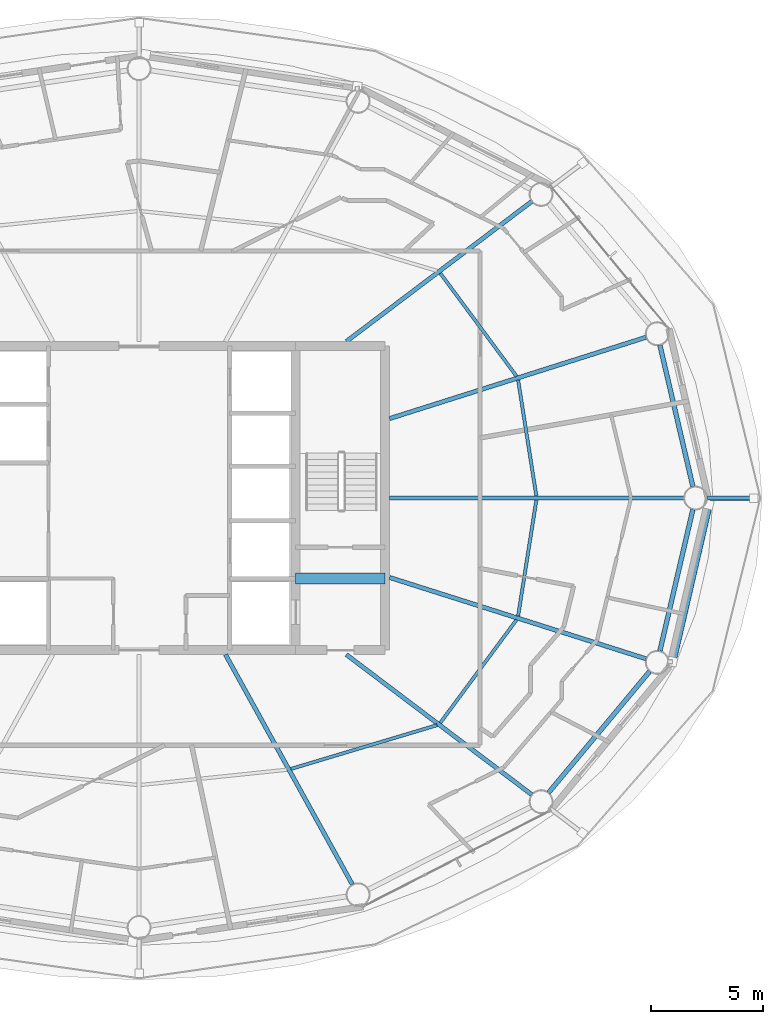
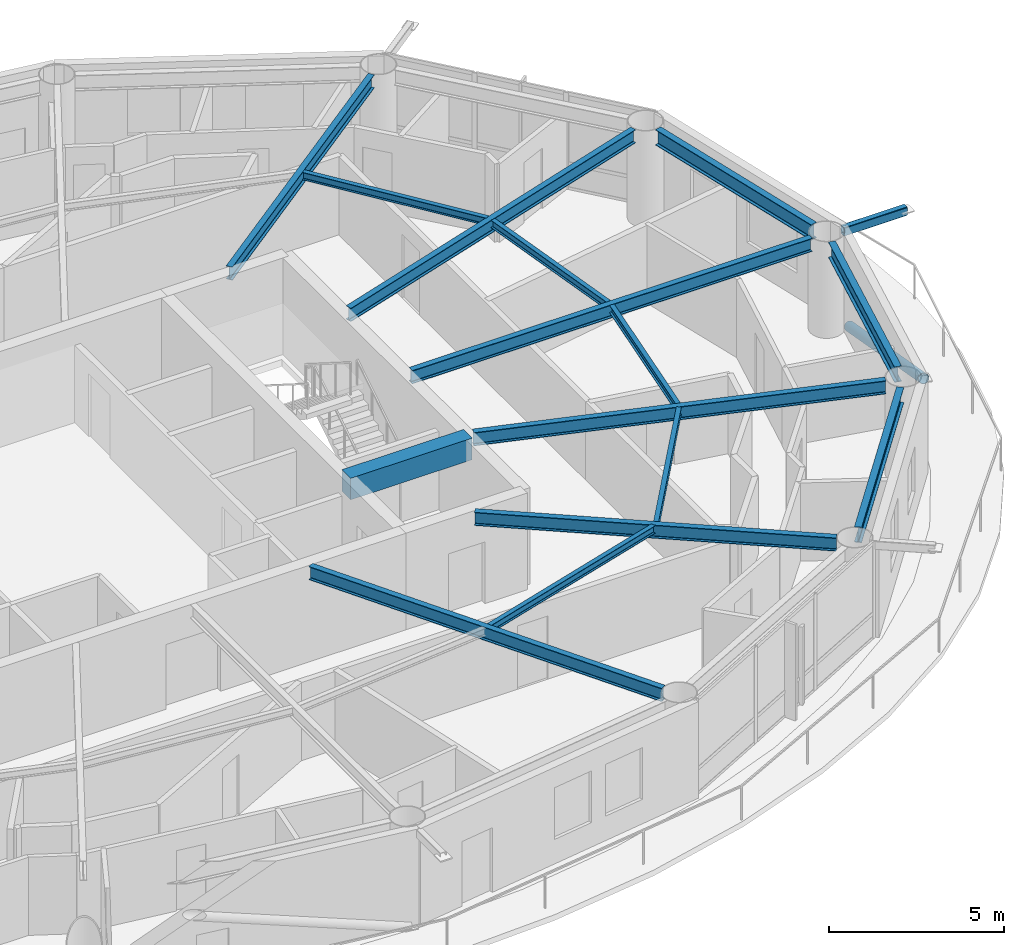
# One storey, part 6 of 23: 15 beams, 2 members.
"""IFC4 building model written with IfcOpenShell, lengths in metres."""

from ifc_helpers import new_model, si_unit, direction, frame, origin, origin_2d, place, context, subcontext, project, spatial, rectangle, hollow_rectangle, hollow_circle, i_section, extrude, material, material_profile, profile_set, type_object, element, save


model = new_model("IFC4")

# Units and contexts
model_context = context("Model", 3, precision=1e-05, world=origin(), true_north=direction((0.0, 1.0)))
body_context = subcontext(model_context, "Body", "Model", "MODEL_VIEW")
ifc_project = project(units=[si_unit("LENGTHUNIT", "METRE"), si_unit("AREAUNIT", "SQUARE_METRE"), si_unit("VOLUMEUNIT", "CUBIC_METRE"), si_unit("PLANEANGLEUNIT", "RADIAN"), si_unit("MASSUNIT", "GRAM", prefix="KILO")], contexts=[model_context])

# Site, building, storey
site_placement = place(None, origin())
site = spatial("IfcSite", under=ifc_project, at=site_placement, CompositionType="ELEMENT")
building_placement = place(site_placement, origin())
building = spatial("IfcBuilding", under=site, at=building_placement, Name="Sarneth Arch Tower", CompositionType="ELEMENT")
storey_placement = place(building_placement, frame((0.0, 0.0, 246.0)))
storey = spatial("IfcBuildingStorey", under=building, at=storey_placement, Name="L63", CompositionType="ELEMENT", Elevation=246.0)

# Beams
ifc_material_1 = material(Name="Steel S355", Category="steel")
ifc_material_profile_1 = material_profile(ifc_material_1, i_section(OverallWidth=0.14794921875, OverallDepth=0.26611328125, WebThickness=0.007568359375, FlangeThickness=0.012939453125, FilletRadius=0.012939453125, at=origin_2d()), Name="W250x44.8")
ifc_profile_set_1 = profile_set([ifc_material_profile_1], Name="Steel S355")
beam_type_1 = type_object("IfcBeamType", Name="BM-JOIST-250", PredefinedType="JOIST", material=ifc_profile_set_1)
beam_1_placement = place(storey_placement, frame((65.76416015625, 42.0947265625, 3.22705078125), z_axis=(-0.155393595615, 0.987852635995, 0.0), x_axis=(-0.987852635995, -0.155393595615, 0.0)))
element("IfcBeam", 1, at=beam_1_placement, inside=storey, type_object=beam_type_1, Name="L63 Secondary floor joist 01", PredefinedType="JOIST", context=body_context, shape_type="SweptSolid", body=[
    extrude(i_section(OverallWidth=0.14794921875, OverallDepth=0.26611328125, WebThickness=0.007568359375, FlangeThickness=0.012939453125, FilletRadius=0.012939453125, at=origin_2d()), origin(), (0.0, 0.0, 1.0), 5.244384765625),
])
beam_2_placement = place(storey_placement, frame((64.877197265625, 47.447509765625, 3.22705078125), z_axis=(-0.594853468946, 0.803834156081, 0.0), x_axis=(-0.803834156081, -0.594853468946, 0.0)))
element("IfcBeam", 2, at=beam_2_placement, inside=storey, type_object=beam_type_1, Name="L63 Secondary floor joist 02", PredefinedType="JOIST", context=body_context, shape_type="SweptSolid", body=[
    extrude(i_section(OverallWidth=0.14794921875, OverallDepth=0.26611328125, WebThickness=0.007568359375, FlangeThickness=0.012939453125, FilletRadius=0.012939453125, at=origin_2d()), origin(), (0.0, 0.0, 1.0), 5.72900390625),
])
beam_3_placement = place(storey_placement, frame((54.79248046875, 29.88818359375, 3.22705078125), z_axis=(0.957984908347, 0.286818610589, 0.0), x_axis=(-0.286818610589, 0.957984908347, 0.0)))
element("IfcBeam", 3, at=beam_3_placement, inside=storey, type_object=beam_type_1, Name="L63 Secondary floor joist 14", PredefinedType="JOIST", context=body_context, shape_type="SweptSolid", body=[
    extrude(i_section(OverallWidth=0.14794921875, OverallDepth=0.26611328125, WebThickness=0.007568359375, FlangeThickness=0.012939453125, FilletRadius=0.012939453125, at=origin_2d()), origin(), (0.0, 0.0, 1.0), 6.81396484375),
])
beam_4_placement = place(storey_placement, frame((61.46923828125, 31.947265625, 3.22705078125), z_axis=(0.594853468946, 0.803834156081, 0.0), x_axis=(-0.803834156081, 0.594853468946, 0.0)))
element("IfcBeam", 4, at=beam_4_placement, inside=storey, type_object=beam_type_1, Name="L63 Secondary floor joist 15", PredefinedType="JOIST", context=body_context, shape_type="SweptSolid", body=[
    extrude(i_section(OverallWidth=0.14794921875, OverallDepth=0.26611328125, WebThickness=0.007568359375, FlangeThickness=0.012939453125, FilletRadius=0.012939453125, at=origin_2d()), origin(), (0.0, 0.0, 1.0), 5.72900390625),
])
beam_5_placement = place(storey_placement, frame((64.94921875, 36.724609375, 3.22705078125), z_axis=(0.155393595615, 0.987852635995, 0.0), x_axis=(-0.987852635995, 0.155393595615, 0.0)))
element("IfcBeam", 5, at=beam_5_placement, inside=storey, type_object=beam_type_1, Name="L63 Secondary floor joist 16", PredefinedType="JOIST", context=body_context, shape_type="SweptSolid", body=[
    extrude(i_section(OverallWidth=0.14794921875, OverallDepth=0.26611328125, WebThickness=0.007568359375, FlangeThickness=0.012939453125, FilletRadius=0.012939453125, at=origin_2d()), origin(), (0.0, 0.0, 1.0), 5.244384765625),
])
ifc_material_2 = material(Name="Concrete C50/60", Category="concrete")
ifc_material_profile_2 = material_profile(ifc_material_2, rectangle(XDim=0.5, YDim=0.75, at=origin_2d()), Name="RC-500x750")
ifc_profile_set_2 = profile_set([ifc_material_profile_2], Name="Concrete C50/60")
beam_type_2 = type_object("IfcBeamType", Name="BM-LINTEL-RC", PredefinedType="LINTEL", material=ifc_profile_set_2)
beam_6_placement = place(storey_placement, frame((55.0, 38.39990234375, 2.985107421875), z_axis=(1.0, 0.0, 0.0), x_axis=(0.0, 1.0, 0.0)))
element("IfcBeam", 6, at=beam_6_placement, inside=storey, type_object=beam_type_2, Name="L63 Core coupling lintel E", PredefinedType="LINTEL", context=body_context, shape_type="SweptSolid", body=[
    extrude(rectangle(XDim=0.5, YDim=0.75, at=origin_2d()), origin(), (0.0, 0.0, 1.0), 4.0),
])
ifc_material_3 = material(Name="Steel S355", Category="steel")
ifc_material_profile_3 = material_profile(ifc_material_3, i_section(OverallWidth=0.19189453125, OverallDepth=0.462890625, WebThickness=0.010498046875, FlangeThickness=0.017578125, FilletRadius=0.01806640625, at=origin_2d()), Name="W460x89")
ifc_profile_set_3 = profile_set([ifc_material_profile_3], Name="Steel S355")
beam_type_3 = type_object("IfcBeamType", Name="BM-RAD-460B", PredefinedType="BEAM", material=ifc_profile_set_3)
beam_7_placement = place(storey_placement, frame((59.199951171875, 42.0, 3.12841796875), z_axis=(1.0, 0.0, 0.0), x_axis=(0.0, 1.0, 0.0)))
element("IfcBeam", 7, at=beam_7_placement, inside=storey, type_object=beam_type_3, Name="L63 Radial floor girder 01", PredefinedType="BEAM", context=body_context, shape_type="SweptSolid", body=[
    extrude(i_section(OverallWidth=0.19189453125, OverallDepth=0.462890625, WebThickness=0.010498046875, FlangeThickness=0.017578125, FilletRadius=0.01806640625, at=origin_2d()), origin(), (0.0, 0.0, 1.0), 13.158203125),
])
beam_8_placement = place(storey_placement, frame((59.199951171875, 45.5517578125, 3.12841796875), z_axis=(0.953216092177, 0.302289731243, 0.0), x_axis=(-0.302289731243, 0.953216092177, 0.0)))
element("IfcBeam", 8, at=beam_8_placement, inside=storey, type_object=beam_type_3, Name="L63 Radial floor girder 02", PredefinedType="BEAM", context=body_context, shape_type="SweptSolid", body=[
    extrude(i_section(OverallWidth=0.19189453125, OverallDepth=0.462890625, WebThickness=0.010498046875, FlangeThickness=0.017578125, FilletRadius=0.01806640625, at=origin_2d()), origin(), (0.0, 0.0, 1.0), 12.031494140625),
])
beam_9_placement = place(storey_placement, frame((57.26806640625, 49.0, 3.12841796875), z_axis=(0.79797308069, 0.60269309146, 0.0), x_axis=(-0.60269309146, 0.79797308069, 0.0)))
element("IfcBeam", 9, at=beam_9_placement, inside=storey, type_object=beam_type_3, Name="L63 Radial floor girder 03", PredefinedType="BEAM", context=body_context, shape_type="SweptSolid", body=[
    extrude(i_section(OverallWidth=0.19189453125, OverallDepth=0.462890625, WebThickness=0.010498046875, FlangeThickness=0.017578125, FilletRadius=0.01806640625, at=origin_2d()), origin(), (0.0, 0.0, 1.0), 10.38671875),
])
beam_10_placement = place(storey_placement, frame((51.86376953125, 35.0, 3.12841796875), z_axis=(0.483225760768, -0.875495781903, 0.0), x_axis=(0.875495781903, 0.483225760768, 0.0)))
element("IfcBeam", 10, at=beam_10_placement, inside=storey, type_object=beam_type_3, Name="L63 Radial floor girder 14", PredefinedType="BEAM", context=body_context, shape_type="SweptSolid", body=[
    extrude(i_section(OverallWidth=0.19189453125, OverallDepth=0.462890625, WebThickness=0.010498046875, FlangeThickness=0.017578125, FilletRadius=0.01806640625, at=origin_2d()), origin(), (0.0, 0.0, 1.0), 11.740478515625),
])
beam_11_placement = place(storey_placement, frame((57.26806640625, 35.0, 3.12841796875), z_axis=(0.79797308069, -0.60269309146, 0.0), x_axis=(0.60269309146, 0.79797308069, 0.0)))
element("IfcBeam", 11, at=beam_11_placement, inside=storey, type_object=beam_type_3, Name="L63 Radial floor girder 15", PredefinedType="BEAM", context=body_context, shape_type="SweptSolid", body=[
    extrude(i_section(OverallWidth=0.19189453125, OverallDepth=0.462890625, WebThickness=0.010498046875, FlangeThickness=0.017578125, FilletRadius=0.01806640625, at=origin_2d()), origin(), (0.0, 0.0, 1.0), 10.38671875),
])
beam_12_placement = place(storey_placement, frame((59.199951171875, 38.4482421875, 3.12841796875), z_axis=(0.953216092177, -0.302289731243, 0.0), x_axis=(0.302289731243, 0.953216092177, 0.0)))
element("IfcBeam", 12, at=beam_12_placement, inside=storey, type_object=beam_type_3, Name="L63 Radial floor girder 16", PredefinedType="BEAM", context=body_context, shape_type="SweptSolid", body=[
    extrude(i_section(OverallWidth=0.19189453125, OverallDepth=0.462890625, WebThickness=0.010498046875, FlangeThickness=0.017578125, FilletRadius=0.01806640625, at=origin_2d()), origin(), (0.0, 0.0, 1.0), 12.031494140625),
])
ifc_material_4 = material(Name="Steel S355", Category="steel")
ifc_material_profile_4 = material_profile(ifc_material_4, i_section(OverallWidth=0.2109375, OverallDepth=0.5390625, WebThickness=0.01171875, FlangeThickness=0.018798828125, FilletRadius=0.01806640625, at=origin_2d()), Name="W530x109")
ifc_profile_set_4 = profile_set([ifc_material_profile_4], Name="Steel S355")
beam_type_4 = type_object("IfcBeamType", Name="BM-RAD-530B", PredefinedType="BEAM", material=ifc_profile_set_4)
beam_13_placement = place(storey_placement, frame((72.763916015625, 42.51123046875, 3.090576171875), z_axis=(-0.227230803906, 0.973840932471, 0.0), x_axis=(-0.973840932471, -0.227230803906, 0.0)))
element("IfcBeam", 13, at=beam_13_placement, inside=storey, type_object=beam_type_4, Name="L63 Perimeter spandrel beam 01", PredefinedType="BEAM", context=body_context, shape_type="SweptSolid", body=[
    extrude(i_section(OverallWidth=0.2109375, OverallDepth=0.5390625, WebThickness=0.01171875, FlangeThickness=0.018798828125, FilletRadius=0.01806640625, at=origin_2d()), origin(), (0.0, 0.0, 1.0), 6.494873046875),
])
beam_14_placement = place(storey_placement, frame((66.3115234375, 28.82666015625, 3.090576171875), z_axis=(0.640364654985, 0.76807103099, 0.0), x_axis=(-0.76807103099, 0.640364654985, 0.0)))
element("IfcBeam", 14, at=beam_14_placement, inside=storey, type_object=beam_type_4, Name="L63 Perimeter spandrel beam 15", PredefinedType="BEAM", context=body_context, shape_type="SweptSolid", body=[
    extrude(i_section(OverallWidth=0.2109375, OverallDepth=0.5390625, WebThickness=0.01171875, FlangeThickness=0.018798828125, FilletRadius=0.01806640625, at=origin_2d()), origin(), (0.0, 0.0, 1.0), 7.06005859375),
])
beam_15_placement = place(storey_placement, frame((71.2880859375, 35.163818359375, 3.090576171875), z_axis=(0.227230803906, 0.973840932471, 0.0), x_axis=(-0.973840932471, 0.227230803906, 0.0)))
element("IfcBeam", 15, at=beam_15_placement, inside=storey, type_object=beam_type_4, Name="L63 Perimeter spandrel beam 16", PredefinedType="BEAM", context=body_context, shape_type="SweptSolid", body=[
    extrude(i_section(OverallWidth=0.2109375, OverallDepth=0.5390625, WebThickness=0.01171875, FlangeThickness=0.018798828125, FilletRadius=0.01806640625, at=origin_2d()), origin(), (0.0, 0.0, 1.0), 6.494873046875),
])

# Members
ifc_material_5 = material(Name="Steel S355", Category="steel")
ifc_material_profile_5 = material_profile(ifc_material_5, hollow_rectangle(XDim=0.199951171875, YDim=0.300048828125, WallThickness=0.012451171875, InnerFilletRadius=0.018798828125, OuterFilletRadius=0.03125, at=origin_2d()), Name="RHS300x200x12.5")
ifc_profile_set_5 = profile_set([ifc_material_profile_5], Name="Steel S355")
member_type_1 = type_object("IfcMemberType", Name="MEM-CANT-STRUT", PredefinedType="STRUT", material=ifc_profile_set_5)
member_1_placement = place(storey_placement, frame((73.408203125, 42.0, 3.199951171875), z_axis=(1.0, 0.0, 0.0), x_axis=(0.0, 1.0, 0.0)))
element("IfcMember", 16, at=member_1_placement, inside=storey, type_object=member_type_1, Name="L63 Balcony cantilever bracket 01", PredefinedType="STRUT", context=body_context, shape_type="SweptSolid", body=[
    extrude(hollow_rectangle(XDim=0.199951171875, YDim=0.300048828125, WallThickness=0.012451171875, InnerFilletRadius=0.018798828125, OuterFilletRadius=0.03125, at=origin_2d()), origin(), (0.0, 0.0, 1.0), 2.07470703125),
])
ifc_material_6 = material(Name="Steel S355", Category="steel")
ifc_material_profile_6 = material_profile(ifc_material_6, hollow_circle(Radius=0.162109375, WallThickness=0.012451171875, at=origin_2d()), Name="CHS324x12.5")
ifc_profile_set_6 = profile_set([ifc_material_profile_6], Name="Steel S355")
member_type_2 = type_object("IfcMemberType", Name="MEM-DIAG-BR3", PredefinedType="BRACE", material=ifc_profile_set_6)
member_2_placement = place(storey_placement, frame((73.4765625, 41.707763671875, 0.02001953125), z_axis=(-0.207917989892, -0.898749333617, 0.386030756289), x_axis=(0.974268900284, -0.225388797281, 0.0)))
element("IfcMember", 17, at=member_2_placement, inside=storey, type_object=member_type_2, Name="L63 Perimeter frame diagonal 16", PredefinedType="BRACE", context=body_context, shape_type="SweptSolid", body=[
    extrude(hollow_circle(Radius=0.162109375, WallThickness=0.012451171875, at=origin_2d()), origin(), (0.0, 0.0, 1.0), 7.814453125),
])

save(model, "model.ifc")
